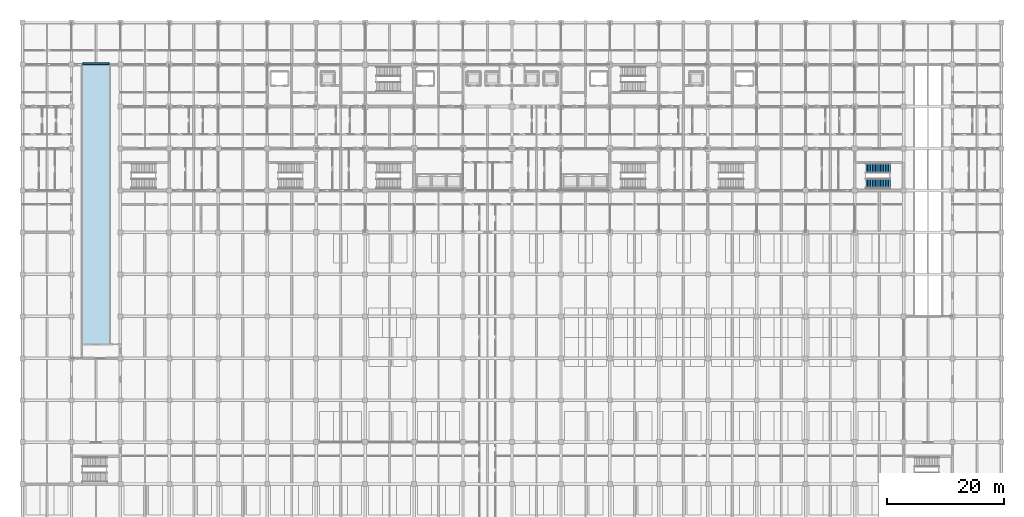
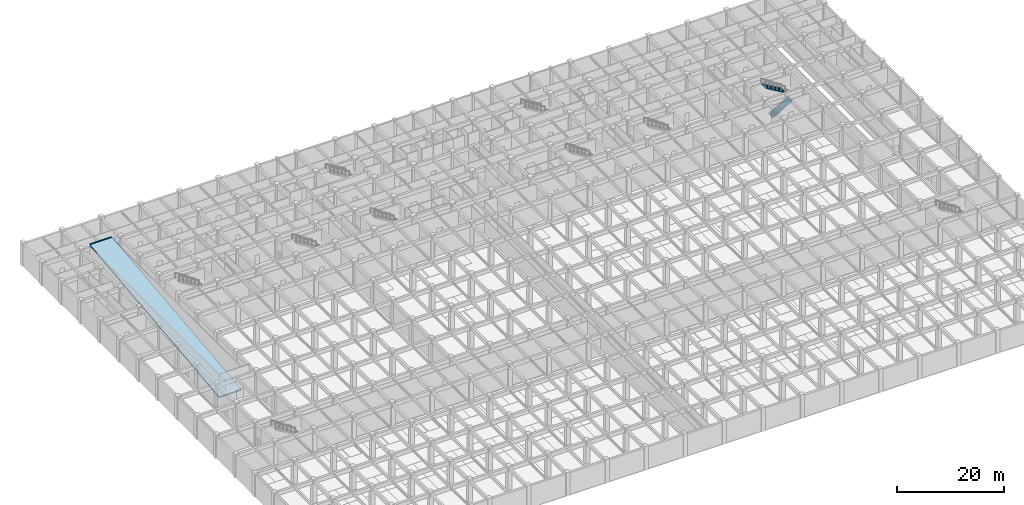
# One storey, part 40 of 48: 2 stair flights, 1 ramp, 1 slab, 1 element without a shape of its own.
"""IFC4 building model written with IfcOpenShell, lengths in metres."""

from ifc_helpers import new_model, si_unit, direction, frame, origin, origin_2d, place, context, subcontext, project, spatial, polyline, rectangle, outline, extrude, material, layer, layer_set, type_object, element, aggregate, save


model = new_model("IFC4")

# Units and contexts
model_context = context("Model", 3, precision=1e-05, world=origin(), true_north=direction((0.0, 1.0)))
body_context = subcontext(model_context, "Body", "Model", "MODEL_VIEW")
ifc_project = project(units=[si_unit("LENGTHUNIT", "METRE"), si_unit("AREAUNIT", "SQUARE_METRE"), si_unit("VOLUMEUNIT", "CUBIC_METRE"), si_unit("PLANEANGLEUNIT", "RADIAN"), si_unit("MASSUNIT", "GRAM", prefix="KILO")], contexts=[model_context])

# Slab
ifc_material = material(Name="Concrete C40", Category="concrete")
ifc_layer = layer(ifc_material, 0.280029296875)
ifc_layer_set = layer_set([ifc_layer], Name="Concrete C40")
slab_type = type_object("IfcSlabType", Name="SL-RMP", PredefinedType="FLOOR", material=ifc_layer_set)
site_placement = place(None, origin())
building_placement = place(site_placement, origin())
storey_placement = place(building_placement, frame((0.0, 0.0, -5.39990234375)))
slab_placement = place(storey_placement, frame((10.199951171875, 59.89990234375, 0.0), z_axis=(0.0, -0.111563031211, 0.993757359755), x_axis=(1.0, 0.0, 0.0)))
slab = element("IfcSlab", 1, at=slab_placement, type_object=slab_type, Name="Custody Sally Port Vehicle Ramp Slab 1", PredefinedType="FLOOR", context=body_context, shape_type="SweptSolid", body=[
    extrude(outline(polyline([(0.0, 0.0), (4.800048828125, 0.0), (4.800048828125, 48.4022555245396), (0.0, 48.4022555245396), (0.0, 0.0)])), origin(), (0.0, 0.0, -1.0), 0.280029296875),
])

# Site, building, storey
site = spatial("IfcSite", under=ifc_project, at=site_placement, CompositionType="ELEMENT")
building = spatial("IfcBuilding", under=site, at=building_placement, Name="Chengyuan Square Courthouse", CompositionType="ELEMENT")
storey = spatial("IfcBuildingStorey", under=building, at=storey_placement, Name="B01", CompositionType="ELEMENT", Elevation=-5.39990234375)

# Stair, stair flights
stair_type = type_object("IfcStairType", Name="ST-TYPE-10", PredefinedType="HALF_TURN_STAIR", material=ifc_material)
stair_placement = place(storey_placement, origin())
stair = element("IfcStair", 2, at=stair_placement, inside=storey, type_object=stair_type, Name="Smoke-Proof Exit Stair ST-10 (B01 to L01)", PredefinedType="HALF_TURN_STAIR")
stair_flight_type = type_object("IfcStairFlightType", Name="STF-TYPE-10", PredefinedType="STRAIGHT", material=ifc_material)
stair_flight_1_placement = place(storey_placement, frame((144.7099609375, 87.574951171875, 0.0), z_axis=(0.0, 0.0, 1.0), x_axis=(1.0, 0.0, 0.0)))
stair_flight_1 = element("IfcStairFlight", 3, at=stair_flight_1_placement, type_object=stair_flight_type, Name="ST-10 flight 1", NumberOfRisers=16, NumberOfTreads=15, PredefinedType="STRAIGHT", RiserHeight=0.16875, TreadLength=0.28, context=body_context, shape_type="SweptSolid", body=[
    extrude(outline(polyline([(0.0, 0.0), (0.0, 0.168701171875), (0.280029296875, 0.168701171875), (0.280029296875, 0.33740234375), (0.56005859375, 0.33740234375), (0.56005859375, 0.50634765625), (0.840087890625, 0.50634765625), (0.840087890625, 0.675048828125), (1.1201171875, 0.675048828125), (1.1201171875, 0.84375), (1.39990234375, 0.84375), (1.39990234375, 1.012451171875), (1.679931640625, 1.012451171875), (1.679931640625, 1.18115234375), (1.9599609375, 1.18115234375), (1.9599609375, 1.35009765625), (2.239990234375, 1.35009765625), (2.239990234375, 1.518798828125), (2.52001953125, 1.518798828125), (2.52001953125, 1.6875), (2.800048828125, 1.6875), (2.800048828125, 1.856201171875), (3.080078125, 1.856201171875), (3.080078125, 2.02490234375), (3.360107421875, 2.02490234375), (3.360107421875, 2.19384765625), (3.639892578125, 2.19384765625), (3.639892578125, 2.362548828125), (3.919921875, 2.362548828125), (3.919921875, 2.53125), (4.199951171875, 2.53125), (4.199951171875, 2.699951171875), (4.199951171875, 2.356201171875), (0.29052734375, 0.0), (0.0, 0.0)])), frame((0.0, 0.824951171875, 0.0), z_axis=(0.0, -1.0, 0.0), x_axis=(1.0, 0.0, 0.0)), (0.0, 0.0, 1.0), 1.64990234375),
])
stair_flight_2_placement = place(storey_placement, frame((148.909912109375, 90.22509765625, 2.699951171875), z_axis=(0.0, 0.0, 1.0), x_axis=(-1.0, 0.0, 0.0)))
stair_flight_2 = element("IfcStairFlight", 4, at=stair_flight_2_placement, type_object=stair_flight_type, Name="ST-10 flight 2", NumberOfRisers=16, NumberOfTreads=15, PredefinedType="STRAIGHT", RiserHeight=0.16875, TreadLength=0.28, context=body_context, shape_type="SweptSolid", body=[
    extrude(outline(polyline([(0.0, 0.0), (0.0, 0.168701171875), (0.280029296875, 0.168701171875), (0.280029296875, 0.33740234375), (0.56005859375, 0.33740234375), (0.56005859375, 0.50634765625), (0.840087890625, 0.50634765625), (0.840087890625, 0.675048828125), (1.1201171875, 0.675048828125), (1.1201171875, 0.84375), (1.39990234375, 0.84375), (1.39990234375, 1.012451171875), (1.679931640625, 1.012451171875), (1.679931640625, 1.18115234375), (1.9599609375, 1.18115234375), (1.9599609375, 1.35009765625), (2.239990234375, 1.35009765625), (2.239990234375, 1.518798828125), (2.52001953125, 1.518798828125), (2.52001953125, 1.6875), (2.800048828125, 1.6875), (2.800048828125, 1.856201171875), (3.080078125, 1.856201171875), (3.080078125, 2.02490234375), (3.360107421875, 2.02490234375), (3.360107421875, 2.19384765625), (3.639892578125, 2.19384765625), (3.639892578125, 2.362548828125), (3.919921875, 2.362548828125), (3.919921875, 2.53125), (4.199951171875, 2.53125), (4.199951171875, 2.699951171875), (4.199951171875, 2.356201171875), (0.29052734375, 0.0), (0.0, 0.0)])), frame((0.0, 0.824951171875, 0.0), z_axis=(0.0, -1.0, 0.0), x_axis=(1.0, 0.0, 0.0)), (0.0, 0.0, 1.0), 1.64990234375),
])
aggregate(stair, [stair_flight_1, stair_flight_2])

# Ramp
ramp_type = type_object("IfcRampType", Name="RMP-V1", PredefinedType="STRAIGHT_RUN_RAMP", material=ifc_material)
ramp_placement = place(storey_placement, frame((12.60009765625, 108.159912109375, 5.400390625), z_axis=(0.0, 0.0, 1.0), x_axis=(1.0, 0.0, 0.0)))
ramp = element("IfcRamp", 5, at=ramp_placement, inside=storey, type_object=ramp_type, Name="Custody Sally Port Vehicle Ramp R1", PredefinedType="STRAIGHT_RUN_RAMP", context=body_context, shape_type="SweptSolid", body=[
    extrude(rectangle(XDim=4.60009765625, YDim=0.300048828125, at=origin_2d()), origin(), (0.0, 0.0, 1.0), 0.050048828125),
])

aggregate(ramp, [slab])

save(model, "model.ifc")
